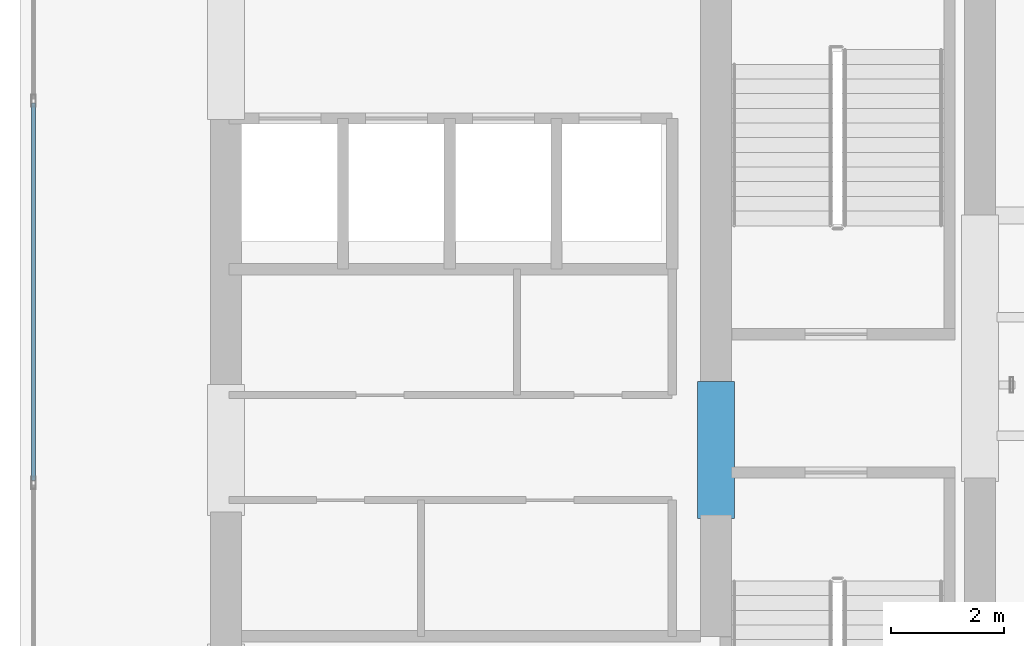
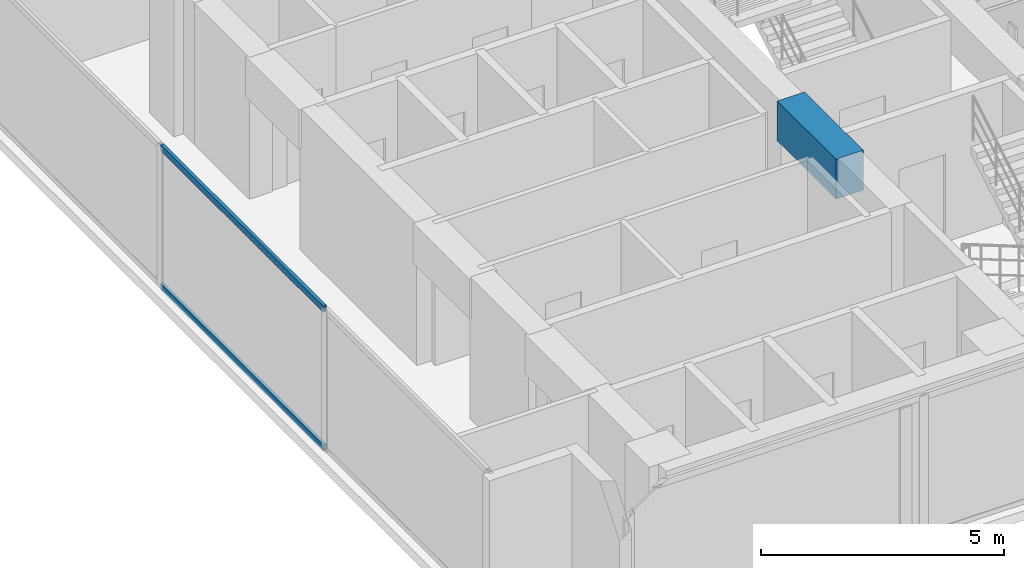
# One storey, part 3 of 23: 2 members, 1 beam, 1 element without a shape of its own.
"""IFC4 building model written with IfcOpenShell, lengths in metres."""

from ifc_helpers import new_model, si_unit, direction, frame, origin, origin_with_axes, origin_2d, place, context, subcontext, project, spatial, rectangle, hollow_rectangle, extrude, source, transform, mapped, material, layer, layer_set, material_profile, profile_set, type_object, element, aggregate, save


model = new_model("IFC4")

# Units and contexts
model_context = context("Model", 3, precision=1e-05, world=origin(), true_north=direction((0.0, 1.0)))
body_context = subcontext(model_context, "Body", "Model", "MODEL_VIEW")
ifc_project = project(units=[si_unit("LENGTHUNIT", "METRE"), si_unit("AREAUNIT", "SQUARE_METRE"), si_unit("VOLUMEUNIT", "CUBIC_METRE"), si_unit("PLANEANGLEUNIT", "RADIAN"), si_unit("MASSUNIT", "GRAM", prefix="KILO")], contexts=[model_context])

# Site, building, storey
site_placement = place(None, origin())
site = spatial("IfcSite", under=ifc_project, at=site_placement, CompositionType="ELEMENT")
building_placement = place(site_placement, origin())
building = spatial("IfcBuilding", under=site, at=building_placement, Name="Kolvaren Waterfront Exchange", CompositionType="ELEMENT")
storey_placement = place(building_placement, frame((0.0, 0.0, 242.5)))
storey = spatial("IfcBuildingStorey", under=building, at=storey_placement, Name="L62", CompositionType="ELEMENT", Elevation=242.5)

# Beam
ifc_material_1 = material(Name="Concrete C60/75", Category="concrete")
ifc_material_profile_1 = material_profile(ifc_material_1, rectangle(XDim=0.64990234375, YDim=1.0, at=origin_2d()), Name="RC-CB-1000x650")
ifc_profile_set_1 = profile_set([ifc_material_profile_1], Name="Concrete C60/75")
beam_type = type_object("IfcBeamType", Name="STR-CB-1000", PredefinedType="SPANDREL", material=ifc_profile_set_1)
beam_placement = place(storey_placement, frame((16.125, 12.0400390625, 3.06005859375), z_axis=(0.0, 1.0, 0.0), x_axis=(-1.0, 0.0, 0.0)))
element("IfcBeam", 1, at=beam_placement, inside=storey, type_object=beam_type, Name="L62 core coupling beam 6", PredefinedType="SPANDREL", context=body_context, shape_type="SweptSolid", body=[
    extrude(rectangle(XDim=0.64990234375, YDim=1.0, at=origin_2d()), origin(), (0.0, 0.0, 1.0), 2.419921875),
])

# Curtain wall, members
ifc_material_2 = material(Name="Anodised aluminium 6063-T6", Category="aluminium")
ifc_layer = layer(ifc_material_2, 0.219970703125, Name="Anodised aluminium 6063-T6")
ifc_layer_set = layer_set([ifc_layer], Name="Anodised aluminium 6063-T6")
curtain_wall_type = type_object("IfcCurtainWallType", Name="ARC-CW-SYS2", PredefinedType="USERDEFINED", material=ifc_layer_set)
curtain_wall_placement = place(storey_placement, origin())
curtain_wall = element("IfcCurtainWall", 2, at=curtain_wall_placement, inside=storey, type_object=curtain_wall_type, Name="L62 stick curtain wall CW2 (CW-L62-W)", ObjectType="STICK CURTAIN WALL", PredefinedType="USERDEFINED")
ifc_material_profile_2 = material_profile(ifc_material_2, hollow_rectangle(XDim=0.074951171875, YDim=0.159912109375, WallThickness=0.00439453125, at=origin_2d()), Name="ALU-TRN-160x75x4.5")
ifc_profile_set_2 = profile_set([ifc_material_profile_2], Name="Anodised aluminium 6063-T6")
member_type = type_object("IfcMemberType", Name="ARC-CWT-160", PredefinedType="USERDEFINED", material=ifc_profile_set_2)
shared_shape = source(origin_with_axes(), body_context, "Body", "SweptSolid", [
    extrude(hollow_rectangle(XDim=0.074951171875, YDim=0.159912109375, WallThickness=0.00439453125, at=origin_2d()), origin(), (0.0, 0.0, 1.0), 6.6865234375),
])
member_1_placement = place(storey_placement, frame((4.0400390625, 12.706787109375, 0.03759765625), z_axis=(0.0, 1.0, 0.0), x_axis=(-1.0, 0.0, 0.0)))
member_1 = element("IfcMember", 3, at=member_1_placement, type_object=member_type, Name="CW2 transom 2.1", ObjectType="TRANSOM", PredefinedType="USERDEFINED", context=body_context, shape_type="MappedRepresentation", body=[
    mapped(shared_shape, transform((0.0, 0.0, 0.0), x_axis=(1.0, 0.0, 0.0), y_axis=(0.0, 1.0, 0.0), z_axis=(0.0, 0.0, 1.0), scale=1.0)),
])
member_2_placement = place(storey_placement, frame((4.0400390625, 12.706787109375, 3.5224609375), z_axis=(0.0, 1.0, 0.0), x_axis=(-1.0, 0.0, 0.0)))
member_2 = element("IfcMember", 4, at=member_2_placement, type_object=member_type, Name="CW2 transom 2.2", ObjectType="TRANSOM", PredefinedType="USERDEFINED", context=body_context, shape_type="MappedRepresentation", body=[
    mapped(shared_shape, transform((0.0, 0.0, 0.0), x_axis=(1.0, 0.0, 0.0), y_axis=(0.0, 1.0, 0.0), z_axis=(0.0, 0.0, 1.0), scale=1.0)),
])
aggregate(curtain_wall, [member_1, member_2])

save(model, "model.ifc")
